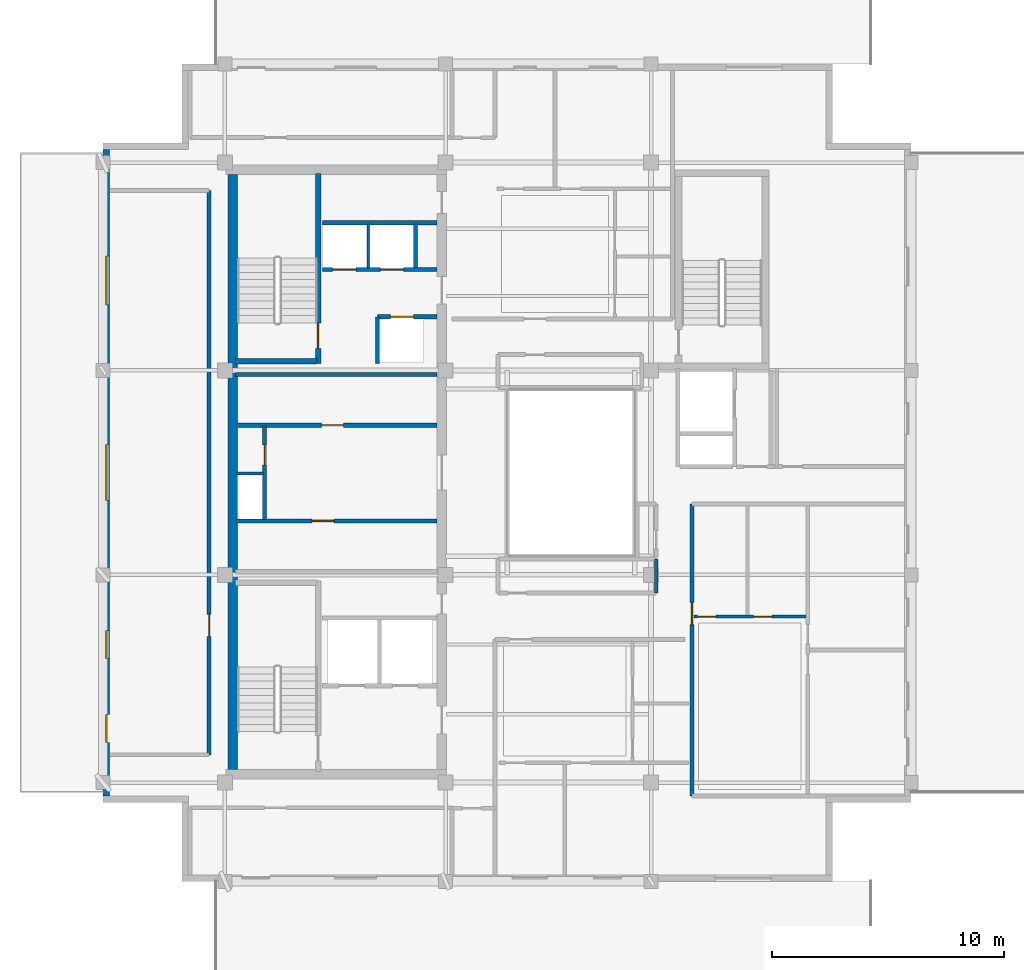
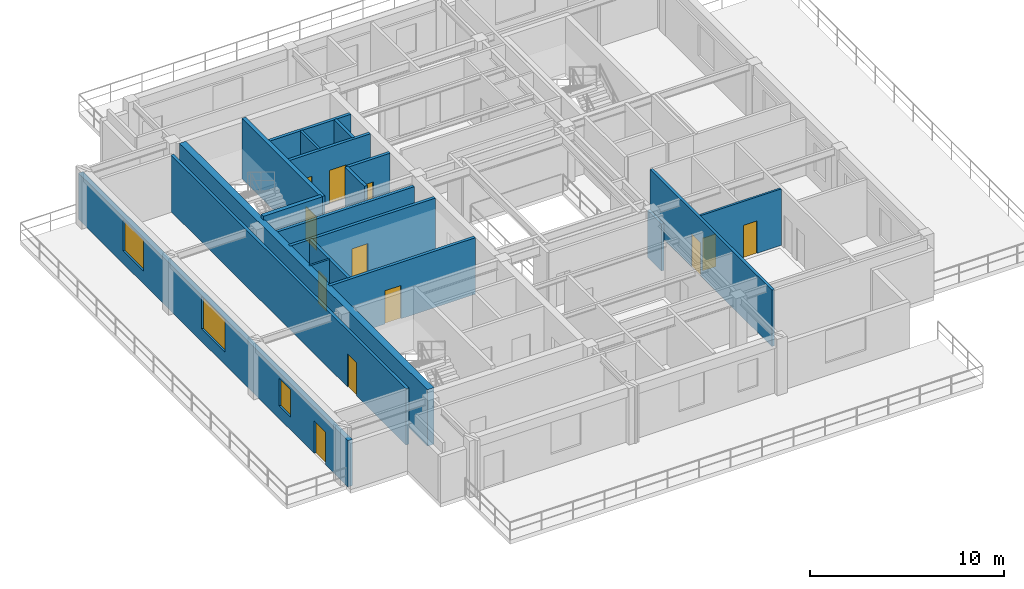
# One storey, part 3 of 9: 19 walls, 12 doors, 3 windows, 15 openings.
"""IFC4 building model written with IfcOpenShell, lengths in metres."""

from ifc_helpers import new_model, si_unit, direction, frame, frame_2d, origin, place, context, subcontext, project, spatial, rectangle, extrude, material, layer, layer_set, type_object, element, fill, save


model = new_model("IFC4")

# Units and contexts
model_context = context("Model", 3, precision=1e-05, world=origin(), true_north=direction((0.0, 1.0)))
body_context = subcontext(model_context, "Body", "Model", "MODEL_VIEW")
ifc_project = project(units=[si_unit("LENGTHUNIT", "METRE"), si_unit("AREAUNIT", "SQUARE_METRE"), si_unit("VOLUMEUNIT", "CUBIC_METRE"), si_unit("PLANEANGLEUNIT", "RADIAN"), si_unit("MASSUNIT", "GRAM", prefix="KILO")], contexts=[model_context])

# Site, building, storey
site_placement = place(None, origin())
site = spatial("IfcSite", under=ifc_project, at=site_placement, CompositionType="ELEMENT")
building_placement = place(site_placement, origin())
building = spatial("IfcBuilding", under=site, at=building_placement, Name="Kundavana Baori Tower", CompositionType="ELEMENT")
storey_placement = place(building_placement, frame((0.0, 0.0, 327.699951171875)))
storey = spatial("IfcBuildingStorey", under=building, at=storey_placement, Name="L81", CompositionType="ELEMENT", Elevation=327.699951171875)

# Wall
ifc_material_1 = material(Name="Concrete C50/60", Category="concrete")
ifc_layer_1 = layer(ifc_material_1, 0.39990234375, Name="WL-CORE-400")
ifc_layer_set_1 = layer_set([ifc_layer_1], Name="Concrete C50/60")
wall_type_1 = type_object("IfcWallType", Name="WL-CORE-400", PredefinedType="SHEAR", material=ifc_layer_set_1)
wall_1_placement = place(storey_placement, frame((15.7900390625, 15.81005859375, 0.0), z_axis=(0.0, 0.0, 1.0), x_axis=(0.0, 1.0, 0.0)))
element("IfcWall", 1, at=wall_1_placement, inside=storey, type_object=wall_type_1, Name="L81 Offset Core West Shear Wall", PredefinedType="SHEAR", context=body_context, shape_type="SweptSolid", body=[
    extrude(rectangle(XDim=25.6298828125, YDim=0.39990234375, at=frame_2d((12.81494140625, 0.0))), origin(), (0.0, 0.0, 1.0), 3.56005859375),
])

# Wall, opening, door
wall_2_placement = place(storey_placement, frame((19.4599609375, 33.300048828125, 0.0), z_axis=(0.0, 0.0, 1.0), x_axis=(0.0, 1.0, 0.0)))
wall_2 = element("IfcWall", 2, at=wall_2_placement, inside=storey, type_object=wall_type_1, Name="WL-L81-ST2-E", PredefinedType="SHEAR", context=body_context, shape_type="SweptSolid", body=[
    extrude(rectangle(XDim=8.179931640625, YDim=0.239990234375, at=frame_2d((4.08984375, 0.0))), origin(), (0.0, 0.0, 1.0), 3.800048828125),
])
opening_1_placement = place(wall_2_placement, frame((0.64990234375, 0.0, 0.0)))
opening_1 = element("IfcOpeningElement", 3, at=opening_1_placement, cuts=wall_2, Name="Opening FD-110", PredefinedType="OPENING", context=body_context, shape_type="SweptSolid", body=[
    extrude(rectangle(XDim=1.10009765625, YDim=2.10009765625, at=frame_2d((0.550048828125, 1.050048828125))), frame((0.0, 0.1298828125, 0.0), z_axis=(0.0, -1.0, 0.0), x_axis=(1.0, 0.0, 0.0)), (0.0, 0.0, 1.0), 0.260009765625),
])
ifc_material_2 = material(Name="Galvanised Steel Fire-Rated Door Leaf", Category="steel")
door_type_1 = type_object("IfcDoorType", Name="DR-FD120-1100", OperationType="NOTDEFINED", PredefinedType="DOOR", material=ifc_material_2)
door_1_placement = place(opening_1_placement, origin())
door_1 = element("IfcDoor", 4, at=door_1_placement, inside=storey, type_object=door_type_1, Name="DR-L81-ST2", OperationType="SINGLE_SWING_RIGHT", OverallHeight=2.10009765625, OverallWidth=1.10009765625, PredefinedType="DOOR", context=body_context, shape_type="SweptSolid", body=[
    extrude(rectangle(XDim=1.10009765625, YDim=2.10009765625, at=frame_2d((0.550048828125, 1.050048828125))), frame((0.0, 0.02490234375, 0.0), z_axis=(0.0, -1.0, 0.0), x_axis=(1.0, 0.0, 0.0)), (0.0, 0.0, 1.0), 0.050048828125),
])
fill(opening_1, door_1)

# Wall
wall_3_placement = place(storey_placement, frame((15.89990234375, 33.389892578125, 0.0), z_axis=(0.0, 0.0, 1.0), x_axis=(1.0, 0.0, 0.0)))
element("IfcWall", 5, at=wall_3_placement, inside=storey, type_object=wall_type_1, Name="WL-L81-ST2-S", PredefinedType="SHEAR", context=body_context, shape_type="SweptSolid", body=[
    extrude(rectangle(XDim=3.52001953125, YDim=0.239990234375, at=frame_2d((1.760009765625, 0.0))), origin(), (0.0, 0.0, 1.0), 3.800048828125),
])

# Wall, openings, door, windows
ifc_material_3 = material(Name="Red-Buff Dholpur Sandstone Cladding on Concrete C40/50", Category="masonry")
ifc_layer_2 = layer(ifc_material_3, 0.280029296875, Name="WL-EXT-SAND-280")
ifc_layer_set_2 = layer_set([ifc_layer_2], Name="Red-Buff Dholpur Sandstone Cladding on Concrete C40/50")
wall_type_2 = type_object("IfcWallType", Name="WL-EXT-SAND-280", PredefinedType="STANDARD", material=ifc_layer_set_2)
wall_4_placement = place(storey_placement, frame((10.340087890625, 42.52001953125, 0.0), z_axis=(0.0, 0.0, 1.0), x_axis=(0.0, -1.0, 0.0)))
wall_4 = element("IfcWall", 6, at=wall_4_placement, inside=storey, type_object=wall_type_2, Name="L81 Exterior Insulated Facade Wall 10", PredefinedType="STANDARD", context=body_context, shape_type="SweptSolid", body=[
    extrude(rectangle(XDim=27.840087890625, YDim=0.280029296875, at=frame_2d((13.919921875, 0.0))), origin(), (0.0, 0.0, 1.0), 2.920166015625),
])
opening_2_placement = place(wall_4_placement, frame((24.340087890625, 0.0, 0.0)))
opening_2 = element("IfcOpeningElement", 7, at=opening_2_placement, cuts=wall_4, Name="Opening TD-1", PredefinedType="OPENING", context=body_context, shape_type="SweptSolid", body=[
    extrude(rectangle(XDim=1.199951171875, YDim=2.050048828125, at=frame_2d((0.60009765625, 1.02490234375))), frame((0.0, 0.14990234375, 0.0), z_axis=(0.0, -1.0, 0.0), x_axis=(1.0, 0.0, 0.0)), (0.0, 0.0, 1.0), 0.300048828125),
])
opening_3_placement = place(wall_4_placement, frame((20.719970703125, 0.0, 0.800048828125)))
opening_3 = element("IfcOpeningElement", 8, at=opening_3_placement, cuts=wall_4, Name="Opening W-03", PredefinedType="OPENING", context=body_context, shape_type="SweptSolid", body=[
    extrude(rectangle(XDim=1.199951171875, YDim=1.75, at=frame_2d((0.60009765625, 0.875))), frame((0.0, 0.14990234375, 0.0), z_axis=(0.0, -1.0, 0.0), x_axis=(1.0, 0.0, 0.0)), (0.0, 0.0, 1.0), 0.300048828125),
])
opening_4_placement = place(wall_4_placement, frame((12.719970703125, 0.0, 0.800048828125)))
opening_4 = element("IfcOpeningElement", 9, at=opening_4_placement, cuts=wall_4, Name="Opening W-04", PredefinedType="OPENING", context=body_context, shape_type="SweptSolid", body=[
    extrude(rectangle(XDim=2.39990234375, YDim=2.050048828125, at=frame_2d((1.199951171875, 1.02490234375))), frame((0.0, 0.14990234375, 0.0), z_axis=(0.0, -1.0, 0.0), x_axis=(1.0, 0.0, 0.0)), (0.0, 0.0, 1.0), 0.300048828125),
])
opening_5_placement = place(wall_4_placement, frame((4.594970703125, 0.0, 0.800048828125)))
opening_5 = element("IfcOpeningElement", 10, at=opening_5_placement, cuts=wall_4, Name="Opening W-05", PredefinedType="OPENING", context=body_context, shape_type="SweptSolid", body=[
    extrude(rectangle(XDim=2.10009765625, YDim=1.949951171875, at=frame_2d((1.050048828125, 0.97509765625))), frame((0.0, 0.14990234375, 0.0), z_axis=(0.0, -1.0, 0.0), x_axis=(1.0, 0.0, 0.0)), (0.0, 0.0, 1.0), 0.300048828125),
])
ifc_material_4 = material(Name="Architectural Patinated Bronze Metalwork")
door_type_2 = type_object("IfcDoorType", Name="DR-EXT-TER-1200", OperationType="NOTDEFINED", PredefinedType="DOOR", material=ifc_material_4)
door_2_placement = place(opening_2_placement, frame((1.199951171875, 0.0, 0.0), z_axis=(0.0, 0.0, 1.0), x_axis=(-1.0, 0.0, 0.0)))
door_2 = element("IfcDoor", 11, at=door_2_placement, inside=storey, type_object=door_type_2, Name="L81 Terrace Access Door W", OperationType="SINGLE_SWING_RIGHT", OverallHeight=2.050048828125, OverallWidth=1.199951171875, PredefinedType="DOOR", context=body_context, shape_type="SweptSolid", body=[
    extrude(rectangle(XDim=1.199951171875, YDim=2.050048828125, at=frame_2d((0.60009765625, 1.02490234375))), frame((0.0, 0.02490234375, 0.0), z_axis=(0.0, -1.0, 0.0), x_axis=(1.0, 0.0, 0.0)), (0.0, 0.0, 1.0), 0.050048828125),
])
fill(opening_2, door_2)
ifc_material_5 = material(Name="Double-Glazed Solar-Control Low-E Insulated Glass", Category="glass")
window_type_1 = type_object("IfcWindowType", Name="WIN-LOG-1200x1750", PartitioningType="SINGLE_PANEL", PredefinedType="WINDOW", material=ifc_material_5)
window_1_placement = place(opening_3_placement, origin())
window_1 = element("IfcWindow", 12, at=window_1_placement, inside=storey, type_object=window_type_1, Name="L81 Recessed Loggia Window W-1", OverallHeight=1.75, OverallWidth=1.199951171875, PartitioningType="SINGLE_PANEL", PredefinedType="WINDOW", context=body_context, shape_type="SweptSolid", body=[
    extrude(rectangle(XDim=1.199951171875, YDim=1.75, at=frame_2d((0.60009765625, 0.875))), frame((0.0, 0.030029296875, 0.0), z_axis=(0.0, -1.0, 0.0), x_axis=(1.0, 0.0, 0.0)), (0.0, 0.0, 1.0), 0.06005859375),
])
fill(opening_3, window_1)
ifc_material_6 = material(Name="Double-Glazed Solar-Control Low-E Insulated Glass", Category="glass")
window_type_2 = type_object("IfcWindowType", Name="WIN-LOG-2100x1950", PartitioningType="SINGLE_PANEL", PredefinedType="WINDOW", material=ifc_material_6)
window_2_placement = place(opening_5_placement, origin())
window_2 = element("IfcWindow", 13, at=window_2_placement, inside=storey, type_object=window_type_2, Name="L81 Recessed Loggia Window W-3", OverallHeight=1.949951171875, OverallWidth=2.10009765625, PartitioningType="SINGLE_PANEL", PredefinedType="WINDOW", context=body_context, shape_type="SweptSolid", body=[
    extrude(rectangle(XDim=2.10009765625, YDim=1.949951171875, at=frame_2d((1.050048828125, 0.97509765625))), frame((0.0, 0.030029296875, 0.0), z_axis=(0.0, -1.0, 0.0), x_axis=(1.0, 0.0, 0.0)), (0.0, 0.0, 1.0), 0.06005859375),
])
fill(opening_5, window_2)
ifc_material_7 = material(Name="Double-Glazed Solar-Control Low-E Insulated Glass", Category="glass")
window_type_3 = type_object("IfcWindowType", Name="WIN-LOG-2400x2050", PartitioningType="SINGLE_PANEL", PredefinedType="WINDOW", material=ifc_material_7)
window_3_placement = place(opening_4_placement, origin())
window_3 = element("IfcWindow", 14, at=window_3_placement, inside=storey, type_object=window_type_3, Name="L81 Recessed Loggia Window W-2", OverallHeight=2.050048828125, OverallWidth=2.39990234375, PartitioningType="SINGLE_PANEL", PredefinedType="WINDOW", context=body_context, shape_type="SweptSolid", body=[
    extrude(rectangle(XDim=2.39990234375, YDim=2.050048828125, at=frame_2d((1.199951171875, 1.02490234375))), frame((0.0, 0.030029296875, 0.0), z_axis=(0.0, -1.0, 0.0), x_axis=(1.0, 0.0, 0.0)), (0.0, 0.0, 1.0), 0.06005859375),
])
fill(opening_4, window_3)

# Walls
ifc_material_8 = material(Name="Acoustic Gypsum Plasterboard on Galvanised Steel Studs", Category="steel")
ifc_layer_3 = layer(ifc_material_8, 0.1201171875, Name="WL-PART-120")
ifc_layer_set_3 = layer_set([ifc_layer_3], Name="Acoustic Gypsum Plasterboard on Galvanised Steel Studs")
wall_type_3 = type_object("IfcWallType", Name="WL-PART-120", PredefinedType="PARTITIONING", material=ifc_layer_set_3)
wall_5_placement = place(storey_placement, frame((15.89990234375, 28.56005859375, 0.0), z_axis=(0.0, 0.0, 1.0), x_axis=(1.0, 0.0, 0.0)))
element("IfcWall", 15, at=wall_5_placement, inside=storey, type_object=wall_type_3, Name="WL-L81-RSRW-N", PredefinedType="PARTITIONING", context=body_context, shape_type="SweptSolid", body=[
    extrude(rectangle(XDim=1.2001953125, YDim=0.1201171875, at=frame_2d((0.60009765625, 0.0))), origin(), (0.0, 0.0, 1.0), 3.56005859375),
])
wall_6_placement = place(storey_placement, frame((21.6201171875, 37.39990234375, 0.0), z_axis=(0.0, 0.0, 1.0), x_axis=(0.0, 1.0, 0.0)))
element("IfcWall", 16, at=wall_6_placement, inside=storey, type_object=wall_type_3, Name="WL-L81-HR-DIV1", PredefinedType="PARTITIONING", context=body_context, shape_type="SweptSolid", body=[
    extrude(rectangle(XDim=1.900146484375, YDim=0.1201171875, at=frame_2d((0.9501953125, 0.0))), origin(), (0.0, 0.0, 1.0), 3.56005859375),
])

# Wall, opening, door
ifc_material_9 = material(Name="Fire-Rated Gypsum Drywall on Galvanised Steel Studs", Category="steel")
ifc_layer_4 = layer(ifc_material_9, 0.1650390625, Name="WL-PART-165")
ifc_layer_set_4 = layer_set([ifc_layer_4], Name="Fire-Rated Gypsum Drywall on Galvanised Steel Studs")
wall_type_4 = type_object("IfcWallType", Name="WL-PART-165", PredefinedType="PARTITIONING", material=ifc_layer_set_4)
wall_7_placement = place(storey_placement, frame((14.77001953125, 16.449951171875, 0.0), z_axis=(0.0, 0.0, 1.0), x_axis=(0.0, 1.0, 0.0)))
wall_7 = element("IfcWall", 17, at=wall_7_placement, inside=storey, type_object=wall_type_4, Name="WL-L81-RW", PredefinedType="PARTITIONING", context=body_context, shape_type="SweptSolid", body=[
    extrude(rectangle(XDim=24.300048828125, YDim=0.1650390625, at=frame_2d((12.14990234375, 0.0))), origin(), (0.0, 0.0, 1.0), 3.56005859375),
])
opening_6_placement = place(wall_7_placement, frame((5.10009765625, 0.0, 0.0)))
opening_6 = element("IfcOpeningElement", 18, at=opening_6_placement, cuts=wall_7, Name="Opening ID-095", PredefinedType="OPENING", context=body_context, shape_type="SweptSolid", body=[
    extrude(rectangle(XDim=0.949951171875, YDim=2.080078125, at=frame_2d((0.47509765625, 1.0400390625))), frame((0.0, 0.092529296875, 0.0), z_axis=(0.0, -1.0, 0.0), x_axis=(1.0, 0.0, 0.0)), (0.0, 0.0, 1.0), 0.18505859375),
])
ifc_material_10 = material(Name="Engineered Teak Solid-Core Timber Veneer", Category="wood")
door_type_3 = type_object("IfcDoorType", Name="DR-INT-950", OperationType="NOTDEFINED", PredefinedType="DOOR", material=ifc_material_10)
door_3_placement = place(opening_6_placement, origin())
door_3 = element("IfcDoor", 19, at=door_3_placement, inside=storey, type_object=door_type_3, Name="DR-L81-RLNGW", OperationType="SINGLE_SWING_LEFT", OverallHeight=2.080078125, OverallWidth=0.949951171875, PredefinedType="DOOR", context=body_context, shape_type="SweptSolid", body=[
    extrude(rectangle(XDim=0.949951171875, YDim=2.080078125, at=frame_2d((0.47509765625, 1.0400390625))), frame((0.0, 0.02490234375, 0.0), z_axis=(0.0, -1.0, 0.0), x_axis=(1.0, 0.0, 0.0)), (0.0, 0.0, 1.0), 0.050048828125),
])
fill(opening_6, door_3)

wall_8_placement = place(storey_placement, frame((35.56005859375, 14.679931640625, 0.0), z_axis=(0.0, 0.0, 1.0), x_axis=(0.0, 1.0, 0.0)))
wall_8 = element("IfcWall", 20, at=wall_8_placement, inside=storey, type_object=wall_type_4, Name="WL-L81-CSE", PredefinedType="PARTITIONING", context=body_context, shape_type="SweptSolid", body=[
    extrude(rectangle(XDim=12.570068359375, YDim=0.1650390625, at=frame_2d((6.28515625, 0.0))), origin(), (0.0, 0.0, 1.0), 3.56005859375),
])
opening_7_placement = place(wall_8_placement, frame((7.3701171875, 0.0, 0.0)))
opening_7 = element("IfcOpeningElement", 21, at=opening_7_placement, cuts=wall_8, Name="Opening FD-095", PredefinedType="OPENING", context=body_context, shape_type="SweptSolid", body=[
    extrude(rectangle(XDim=0.949951171875, YDim=2.10009765625, at=frame_2d((0.47509765625, 1.050048828125))), frame((0.0, 0.092529296875, 0.0), z_axis=(0.0, -1.0, 0.0), x_axis=(1.0, 0.0, 0.0)), (0.0, 0.0, 1.0), 0.18505859375),
])
ifc_material_11 = material(Name="Engineered Teak Fire-Rated Timber Door Leaf", Category="wood")
door_type_4 = type_object("IfcDoorType", Name="DR-FD60-950", OperationType="NOTDEFINED", PredefinedType="DOOR", material=ifc_material_11)
door_4_placement = place(opening_7_placement, origin())
door_4 = element("IfcDoor", 22, at=door_4_placement, inside=storey, type_object=door_type_4, Name="DR-L81-SE1-ENT", OperationType="SINGLE_SWING_LEFT", OverallHeight=2.10009765625, OverallWidth=0.949951171875, PredefinedType="DOOR", context=body_context, shape_type="SweptSolid", body=[
    extrude(rectangle(XDim=0.949951171875, YDim=2.10009765625, at=frame_2d((0.47509765625, 1.050048828125))), frame((0.0, 0.02490234375, 0.0), z_axis=(0.0, -1.0, 0.0), x_axis=(1.0, 0.0, 0.0)), (0.0, 0.0, 1.0), 0.050048828125),
])
fill(opening_7, door_4)

# Wall
wall_9_placement = place(storey_placement, frame((34.02001953125, 23.419921875, 0.0), z_axis=(0.0, 0.0, 1.0), x_axis=(0.0, 1.0, 0.0)))
element("IfcWall", 23, at=wall_9_placement, inside=storey, type_object=wall_type_4, Name="WL-L81-ALE", PredefinedType="PARTITIONING", context=body_context, shape_type="SweptSolid", body=[
    extrude(rectangle(XDim=1.4599609375, YDim=0.1650390625, at=frame_2d((0.72998046875, 0.0))), origin(), (0.0, 0.0, 1.0), 2.9599609375),
])

# Wall, opening, door
ifc_material_12 = material(Name="Autoclaved Aerated Concrete Blockwork Masonry", Category="masonry")
ifc_layer_5 = layer(ifc_material_12, 0.179931640625, Name="WL-SHAFT-180")
ifc_layer_set_5 = layer_set([ifc_layer_5], Name="Autoclaved Aerated Concrete Blockwork Masonry")
wall_type_5 = type_object("IfcWallType", Name="WL-SHAFT-180", PredefinedType="SOLIDWALL", material=ifc_layer_set_5)
wall_10_placement = place(storey_placement, frame((15.89990234375, 26.52001953125, 0.0), z_axis=(0.0, 0.0, 1.0), x_axis=(1.0, 0.0, 0.0)))
wall_10 = element("IfcWall", 24, at=wall_10_placement, inside=storey, type_object=wall_type_5, Name="WL-L81-LPLOW-N", PredefinedType="SOLIDWALL", context=body_context, shape_type="SweptSolid", body=[
    extrude(rectangle(XDim=8.68017578125, YDim=0.179931640625, at=frame_2d((4.340087890625, 0.0))), origin(), (0.0, 0.0, 1.0), 3.56005859375),
])
opening_8_placement = place(wall_10_placement, frame((3.300048828125, 0.0, 0.0)))
opening_8 = element("IfcOpeningElement", 25, at=opening_8_placement, cuts=wall_10, Name="Opening FD-095", PredefinedType="OPENING", context=body_context, shape_type="SweptSolid", body=[
    extrude(rectangle(XDim=0.949951171875, YDim=2.10009765625, at=frame_2d((0.47509765625, 1.050048828125))), frame((0.0, 0.10009765625, 0.0), z_axis=(0.0, -1.0, 0.0), x_axis=(1.0, 0.0, 0.0)), (0.0, 0.0, 1.0), 0.199951171875),
])
door_5_placement = place(opening_8_placement, origin())
door_5 = element("IfcDoor", 26, at=door_5_placement, inside=storey, type_object=door_type_4, Name="DR-L81-FRLOW1", OperationType="SINGLE_SWING_LEFT", OverallHeight=2.10009765625, OverallWidth=0.949951171875, PredefinedType="DOOR", context=body_context, shape_type="SweptSolid", body=[
    extrude(rectangle(XDim=0.949951171875, YDim=2.10009765625, at=frame_2d((0.47509765625, 1.050048828125))), frame((0.0, 0.02490234375, 0.0), z_axis=(0.0, -1.0, 0.0), x_axis=(1.0, 0.0, 0.0)), (0.0, 0.0, 1.0), 0.050048828125),
])
fill(opening_8, door_5)

wall_11_placement = place(storey_placement, frame((17.159912109375, 26.580078125, 0.0), z_axis=(0.0, 0.0, 1.0), x_axis=(0.0, 1.0, 0.0)))
wall_11 = element("IfcWall", 27, at=wall_11_placement, inside=storey, type_object=wall_type_5, Name="WL-L81-RSRW-E", PredefinedType="SOLIDWALL", context=body_context, shape_type="SweptSolid", body=[
    extrude(rectangle(XDim=4.02001953125, YDim=0.179931640625, at=frame_2d((2.010009765625, 0.0))), origin(), (0.0, 0.0, 1.0), 3.56005859375),
])
opening_9_placement = place(wall_11_placement, frame((2.35009765625, 0.0, 0.0)))
opening_9 = element("IfcOpeningElement", 28, at=opening_9_placement, cuts=wall_11, Name="Opening FD-085", PredefinedType="OPENING", context=body_context, shape_type="SweptSolid", body=[
    extrude(rectangle(XDim=0.85009765625, YDim=2.06005859375, at=frame_2d((0.425048828125, 1.030029296875))), frame((0.0, 0.10009765625, 0.0), z_axis=(0.0, -1.0, 0.0), x_axis=(1.0, 0.0, 0.0)), (0.0, 0.0, 1.0), 0.199951171875),
])
ifc_material_13 = material(Name="Galvanised Steel Fire-Rated Door Leaf", Category="steel")
door_type_5 = type_object("IfcDoorType", Name="DR-FD60-850", OperationType="NOTDEFINED", PredefinedType="DOOR", material=ifc_material_13)
door_6_placement = place(opening_9_placement, origin())
door_6 = element("IfcDoor", 29, at=door_6_placement, inside=storey, type_object=door_type_5, Name="DR-L81-CLN", OperationType="SINGLE_SWING_RIGHT", OverallHeight=2.06005859375, OverallWidth=0.85009765625, PredefinedType="DOOR", context=body_context, shape_type="SweptSolid", body=[
    extrude(rectangle(XDim=0.85009765625, YDim=2.06005859375, at=frame_2d((0.425048828125, 1.030029296875))), frame((0.0, 0.02490234375, 0.0), z_axis=(0.0, -1.0, 0.0), x_axis=(1.0, 0.0, 0.0)), (0.0, 0.0, 1.0), 0.050048828125),
])
fill(opening_9, door_6)

wall_12_placement = place(storey_placement, frame((15.89990234375, 30.639892578125, 0.0), z_axis=(0.0, 0.0, 1.0), x_axis=(1.0, 0.0, 0.0)))
wall_12 = element("IfcWall", 30, at=wall_12_placement, inside=storey, type_object=wall_type_5, Name="WL-L81-LPMID-S", PredefinedType="SOLIDWALL", context=body_context, shape_type="SweptSolid", body=[
    extrude(rectangle(XDim=8.68017578125, YDim=0.179931640625, at=frame_2d((4.340087890625, 0.0))), origin(), (0.0, 0.0, 1.0), 3.56005859375),
])
opening_10_placement = place(wall_12_placement, frame((3.699951171875, 0.0, 0.0)))
opening_10 = element("IfcOpeningElement", 31, at=opening_10_placement, cuts=wall_12, Name="Opening FD-095", PredefinedType="OPENING", context=body_context, shape_type="SweptSolid", body=[
    extrude(rectangle(XDim=0.949951171875, YDim=2.10009765625, at=frame_2d((0.47509765625, 1.050048828125))), frame((0.0, 0.10009765625, 0.0), z_axis=(0.0, -1.0, 0.0), x_axis=(1.0, 0.0, 0.0)), (0.0, 0.0, 1.0), 0.199951171875),
])
door_7_placement = place(opening_10_placement, frame((0.949951171875, 0.0, 0.0), z_axis=(0.0, 0.0, 1.0), x_axis=(-1.0, 0.0, 0.0)))
door_7 = element("IfcDoor", 32, at=door_7_placement, inside=storey, type_object=door_type_4, Name="DR-L81-FRMID1", OperationType="SINGLE_SWING_RIGHT", OverallHeight=2.10009765625, OverallWidth=0.949951171875, PredefinedType="DOOR", context=body_context, shape_type="SweptSolid", body=[
    extrude(rectangle(XDim=0.949951171875, YDim=2.10009765625, at=frame_2d((0.47509765625, 1.050048828125))), frame((0.0, 0.02490234375, 0.0), z_axis=(0.0, -1.0, 0.0), x_axis=(1.0, 0.0, 0.0)), (0.0, 0.0, 1.0), 0.050048828125),
])
fill(opening_10, door_7)

# Wall
wall_13_placement = place(storey_placement, frame((15.89990234375, 32.820068359375, 0.0), z_axis=(0.0, 0.0, 1.0), x_axis=(1.0, 0.0, 0.0)))
element("IfcWall", 33, at=wall_13_placement, inside=storey, type_object=wall_type_5, Name="WL-L81-LPMID-N", PredefinedType="SOLIDWALL", context=body_context, shape_type="SweptSolid", body=[
    extrude(rectangle(XDim=8.68017578125, YDim=0.179931640625, at=frame_2d((4.340087890625, 0.0))), origin(), (0.0, 0.0, 1.0), 2.9599609375),
])

# Wall, opening, door
wall_14_placement = place(storey_placement, frame((22.02001953125, 35.31005859375, 0.0), z_axis=(0.0, 0.0, 1.0), x_axis=(1.0, 0.0, 0.0)))
wall_14 = element("IfcWall", 34, at=wall_14_placement, inside=storey, type_object=wall_type_5, Name="WL-L81-LP11-N", PredefinedType="SOLIDWALL", context=body_context, shape_type="SweptSolid", body=[
    extrude(rectangle(XDim=2.56005859375, YDim=0.179931640625, at=frame_2d((1.280029296875, 0.0))), origin(), (0.0, 0.0, 1.0), 3.56005859375),
])
opening_11_placement = place(wall_14_placement, frame((0.550048828125, 0.0, 0.0)))
opening_11 = element("IfcOpeningElement", 35, at=opening_11_placement, cuts=wall_14, Name="Opening LD-100", PredefinedType="OPENING", context=body_context, shape_type="SweptSolid", body=[
    extrude(rectangle(XDim=1.0, YDim=2.10009765625, at=frame_2d((0.5, 1.050048828125))), frame((0.0, 0.10009765625, 0.0), z_axis=(0.0, -1.0, 0.0), x_axis=(1.0, 0.0, 0.0)), (0.0, 0.0, 1.0), 0.199951171875),
])
ifc_material_14 = material(Name="Galvanised Steel Fire-Rated Door Leaf", Category="steel")
door_type_6 = type_object("IfcDoorType", Name="DR-SLIDE-LD1000", OperationType="NOTDEFINED", PredefinedType="DOOR", material=ifc_material_14)
door_8_placement = place(opening_11_placement, origin())
door_8 = element("IfcDoor", 36, at=door_8_placement, inside=storey, type_object=door_type_6, Name="DR-L81-LD-LP11", OperationType="DOUBLE_DOOR_SLIDING", OverallHeight=2.10009765625, OverallWidth=1.0, PredefinedType="DOOR", context=body_context, shape_type="SweptSolid", body=[
    extrude(rectangle(XDim=1.0, YDim=2.10009765625, at=frame_2d((0.5, 1.050048828125))), frame((0.0, 0.02490234375, 0.0), z_axis=(0.0, -1.0, 0.0), x_axis=(1.0, 0.0, 0.0)), (0.0, 0.0, 1.0), 0.050048828125),
])
fill(opening_11, door_8)

# Wall
wall_15_placement = place(storey_placement, frame((22.02001953125, 33.300048828125, 0.0), z_axis=(0.0, 0.0, 1.0), x_axis=(0.0, 1.0, 0.0)))
element("IfcWall", 37, at=wall_15_placement, inside=storey, type_object=wall_type_5, Name="WL-L81-LP11-W", PredefinedType="SOLIDWALL", context=body_context, shape_type="SweptSolid", body=[
    extrude(rectangle(XDim=2.010009765625, YDim=0.179931640625, at=frame_2d((1.0048828125, 0.0))), origin(), (0.0, 0.0, 1.0), 3.56005859375),
])

# Wall, openings, doors
wall_16_placement = place(storey_placement, frame((19.639892578125, 37.340087890625, 0.0), z_axis=(0.0, 0.0, 1.0), x_axis=(1.0, 0.0, 0.0)))
wall_16 = element("IfcWall", 38, at=wall_16_placement, inside=storey, type_object=wall_type_5, Name="WL-L81-HRLOB-N", PredefinedType="SOLIDWALL", context=body_context, shape_type="SweptSolid", body=[
    extrude(rectangle(XDim=4.940185546875, YDim=0.179931640625, at=frame_2d((2.47021484375, 0.0))), origin(), (0.0, 0.0, 1.0), 3.56005859375),
])
opening_12_placement = place(wall_16_placement, frame((0.449951171875, 0.0, 0.0)))
opening_12 = element("IfcOpeningElement", 39, at=opening_12_placement, cuts=wall_16, Name="Opening LD-100", PredefinedType="OPENING", context=body_context, shape_type="SweptSolid", body=[
    extrude(rectangle(XDim=1.0, YDim=2.10009765625, at=frame_2d((0.5, 1.050048828125))), frame((0.0, 0.10009765625, 0.0), z_axis=(0.0, -1.0, 0.0), x_axis=(1.0, 0.0, 0.0)), (0.0, 0.0, 1.0), 0.199951171875),
])
opening_13_placement = place(wall_16_placement, frame((2.5, 0.0, 0.0)))
opening_13 = element("IfcOpeningElement", 40, at=opening_13_placement, cuts=wall_16, Name="Opening LD-100", PredefinedType="OPENING", context=body_context, shape_type="SweptSolid", body=[
    extrude(rectangle(XDim=1.0, YDim=2.10009765625, at=frame_2d((0.5, 1.050048828125))), frame((0.0, 0.10009765625, 0.0), z_axis=(0.0, -1.0, 0.0), x_axis=(1.0, 0.0, 0.0)), (0.0, 0.0, 1.0), 0.199951171875),
])
door_9_placement = place(opening_12_placement, frame((1.0, 0.0, 0.0), z_axis=(0.0, 0.0, 1.0), x_axis=(-1.0, 0.0, 0.0)))
door_9 = element("IfcDoor", 41, at=door_9_placement, inside=storey, type_object=door_type_6, Name="DR-L81-LD-LP09", OperationType="DOUBLE_DOOR_SLIDING", OverallHeight=2.10009765625, OverallWidth=1.0, PredefinedType="DOOR", context=body_context, shape_type="SweptSolid", body=[
    extrude(rectangle(XDim=1.0, YDim=2.10009765625, at=frame_2d((0.5, 1.050048828125))), frame((0.0, 0.02490234375, 0.0), z_axis=(0.0, -1.0, 0.0), x_axis=(1.0, 0.0, 0.0)), (0.0, 0.0, 1.0), 0.050048828125),
])
fill(opening_12, door_9)
door_10_placement = place(opening_13_placement, frame((1.0, 0.0, 0.0), z_axis=(0.0, 0.0, 1.0), x_axis=(-1.0, 0.0, 0.0)))
door_10 = element("IfcDoor", 42, at=door_10_placement, inside=storey, type_object=door_type_6, Name="DR-L81-LD-LP10", OperationType="DOUBLE_DOOR_SLIDING", OverallHeight=2.10009765625, OverallWidth=1.0, PredefinedType="DOOR", context=body_context, shape_type="SweptSolid", body=[
    extrude(rectangle(XDim=1.0, YDim=2.10009765625, at=frame_2d((0.5, 1.050048828125))), frame((0.0, 0.02490234375, 0.0), z_axis=(0.0, -1.0, 0.0), x_axis=(1.0, 0.0, 0.0)), (0.0, 0.0, 1.0), 0.050048828125),
])
fill(opening_13, door_10)

# Walls
wall_17_placement = place(storey_placement, frame((19.639892578125, 39.360107421875, 0.0), z_axis=(0.0, 0.0, 1.0), x_axis=(1.0, 0.0, 0.0)))
element("IfcWall", 43, at=wall_17_placement, inside=storey, type_object=wall_type_5, Name="WL-L81-HRLOB-TOP", PredefinedType="SOLIDWALL", context=body_context, shape_type="SweptSolid", body=[
    extrude(rectangle(XDim=4.940185546875, YDim=0.179931640625, at=frame_2d((2.47021484375, 0.0))), origin(), (0.0, 0.0, 1.0), 3.56005859375),
])
wall_18_placement = place(storey_placement, frame((23.659912109375, 37.39990234375, 0.0), z_axis=(0.0, 0.0, 1.0), x_axis=(0.0, 1.0, 0.0)))
element("IfcWall", 44, at=wall_18_placement, inside=storey, type_object=wall_type_5, Name="WL-L81-HR-DIV2", PredefinedType="SOLIDWALL", context=body_context, shape_type="SweptSolid", body=[
    extrude(rectangle(XDim=1.900146484375, YDim=0.179931640625, at=frame_2d((0.9501953125, 0.0))), origin(), (0.0, 0.0, 1.0), 3.56005859375),
])

# Wall, openings, doors
ifc_material_15 = material(Name="Autoclaved Aerated Concrete Blockwork Masonry", Category="masonry")
ifc_layer_6 = layer(ifc_material_15, 0.125, Name="WL-WET-120")
ifc_layer_set_6 = layer_set([ifc_layer_6], Name="Autoclaved Aerated Concrete Blockwork Masonry")
wall_type_6 = type_object("IfcWallType", Name="WL-WET-120", PredefinedType="PLUMBINGWALL", material=ifc_layer_set_6)
wall_19_placement = place(storey_placement, frame((35.639892578125, 22.39990234375, 0.0), z_axis=(0.0, 0.0, 1.0), x_axis=(1.0, 0.0, 0.0)))
wall_19 = element("IfcWall", 45, at=wall_19_placement, inside=storey, type_object=wall_type_6, Name="WL-L81-SE1-KH", PredefinedType="PLUMBINGWALL", context=body_context, shape_type="SweptSolid", body=[
    extrude(rectangle(XDim=4.822998046875, YDim=0.125, at=frame_2d((2.41162109375, 0.0))), origin(), (0.0, 0.0, 1.0), 3.56005859375),
])
opening_14_placement = place(wall_19_placement, frame((0.159912109375, 0.0, 0.0)))
opening_14 = element("IfcOpeningElement", 46, at=opening_14_placement, cuts=wall_19, Name="Opening WD-080", PredefinedType="OPENING", context=body_context, shape_type="SweptSolid", body=[
    extrude(rectangle(XDim=0.800048828125, YDim=2.050048828125, at=frame_2d((0.39990234375, 1.02490234375))), frame((0.0, 0.072509765625, 0.0), z_axis=(0.0, -1.0, 0.0), x_axis=(1.0, 0.0, 0.0)), (0.0, 0.0, 1.0), 0.14501953125),
])
opening_15_placement = place(wall_19_placement, frame((2.574951171875, 0.0, 0.0)))
opening_15 = element("IfcOpeningElement", 47, at=opening_15_placement, cuts=wall_19, Name="Opening WD-080", PredefinedType="OPENING", context=body_context, shape_type="SweptSolid", body=[
    extrude(rectangle(XDim=0.800048828125, YDim=2.050048828125, at=frame_2d((0.39990234375, 1.02490234375))), frame((0.0, 0.072509765625, 0.0), z_axis=(0.0, -1.0, 0.0), x_axis=(1.0, 0.0, 0.0)), (0.0, 0.0, 1.0), 0.14501953125),
])
ifc_material_16 = material(Name="Engineered Teak Solid-Core Timber Veneer", Category="wood")
door_type_7 = type_object("IfcDoorType", Name="DR-WET-800", OperationType="NOTDEFINED", PredefinedType="DOOR", material=ifc_material_16)
door_11_placement = place(opening_14_placement, origin())
door_11 = element("IfcDoor", 48, at=door_11_placement, inside=storey, type_object=door_type_7, Name="DR-L81-SE1-BT", OperationType="SINGLE_SWING_LEFT", OverallHeight=2.050048828125, OverallWidth=0.800048828125, PredefinedType="DOOR", context=body_context, shape_type="SweptSolid", body=[
    extrude(rectangle(XDim=0.800048828125, YDim=2.050048828125, at=frame_2d((0.39990234375, 1.02490234375))), frame((0.0, 0.02490234375, 0.0), z_axis=(0.0, -1.0, 0.0), x_axis=(1.0, 0.0, 0.0)), (0.0, 0.0, 1.0), 0.050048828125),
])
fill(opening_14, door_11)
door_12_placement = place(opening_15_placement, origin())
door_12 = element("IfcDoor", 49, at=door_12_placement, inside=storey, type_object=door_type_7, Name="DR-L81-SE1-KT", OperationType="SINGLE_SWING_RIGHT", OverallHeight=2.050048828125, OverallWidth=0.800048828125, PredefinedType="DOOR", context=body_context, shape_type="SweptSolid", body=[
    extrude(rectangle(XDim=0.800048828125, YDim=2.050048828125, at=frame_2d((0.39990234375, 1.02490234375))), frame((0.0, 0.02490234375, 0.0), z_axis=(0.0, -1.0, 0.0), x_axis=(1.0, 0.0, 0.0)), (0.0, 0.0, 1.0), 0.050048828125),
])
fill(opening_15, door_12)

save(model, "model.ifc")
